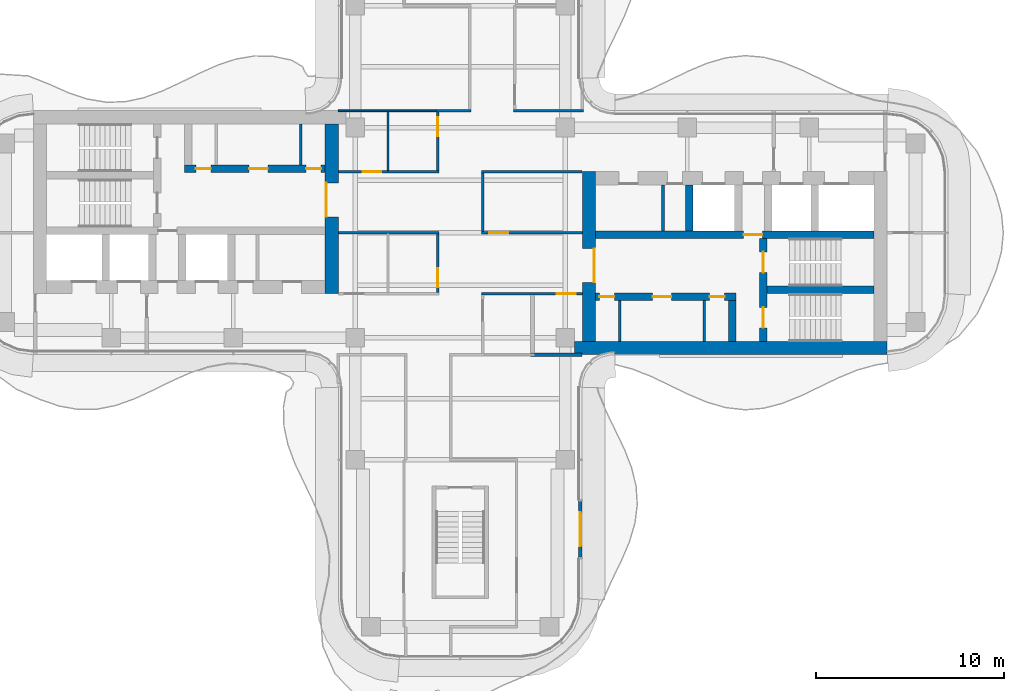
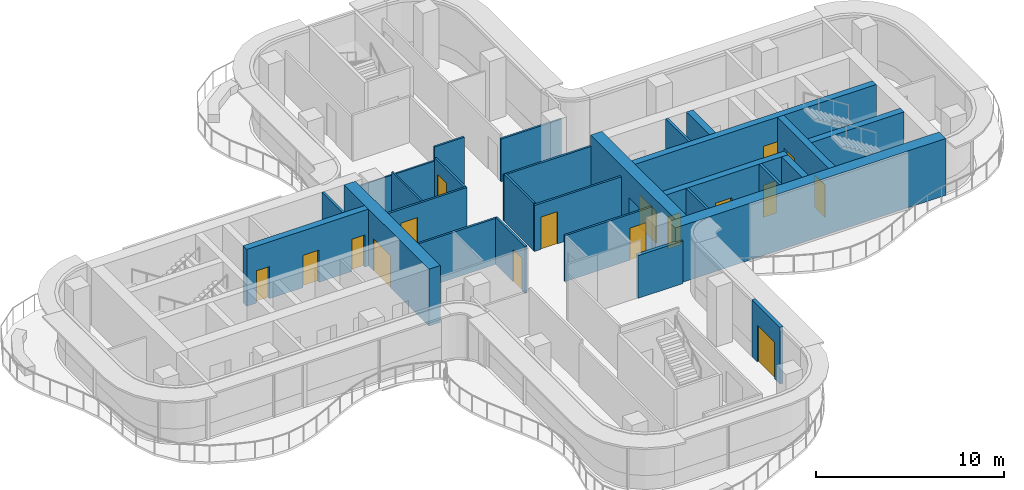
# One storey, part 12 of 16: 28 walls, 17 doors, 17 openings.
"""IFC4 building model written with IfcOpenShell, lengths in metres."""

from ifc_helpers import new_model, si_unit, direction, frame, frame_2d, origin, place, context, subcontext, project, spatial, rectangle, extrude, source, transform, mapped, material, layer, layer_set, type_object, element, fill, save


model = new_model("IFC4")

# Units and contexts
model_context = context("Model", 3, precision=1e-05, world=origin(), true_north=direction((0.0, 1.0)))
body_context = subcontext(model_context, "Body", "Model", "MODEL_VIEW")
ifc_project = project(units=[si_unit("LENGTHUNIT", "METRE"), si_unit("AREAUNIT", "SQUARE_METRE"), si_unit("VOLUMEUNIT", "CUBIC_METRE"), si_unit("PLANEANGLEUNIT", "RADIAN"), si_unit("MASSUNIT", "GRAM", prefix="KILO")], contexts=[model_context])

# Site, building, storey
site_placement = place(None, origin())
site = spatial("IfcSite", under=ifc_project, at=site_placement, CompositionType="ELEMENT")
building_placement = place(site_placement, origin())
building = spatial("IfcBuilding", under=site, at=building_placement, Name="Trellis Farm Tower", CompositionType="ELEMENT")
storey_placement = place(building_placement, frame((0.0, 0.0, 318.39990234375)))
storey = spatial("IfcBuildingStorey", under=building, at=storey_placement, Name="L72", CompositionType="ELEMENT", Elevation=318.39990234375)

# Wall, opening, door
ifc_material_1 = material(Name="Concrete C50/60", Category="concrete")
ifc_layer_1 = layer(ifc_material_1, 0.699951171875)
ifc_layer_set_1 = layer_set([ifc_layer_1], Name="CORE OUTER WALL 700 CONCRETE C50/60")
wall_type_1 = type_object("IfcWallType", Name="CORE OUTER WALL 700 CONCRETE C50/60", PredefinedType="SHEAR", material=ifc_layer_set_1)
shared_shape_1 = source(origin(), body_context, "Body", "SweptSolid", [
    extrude(rectangle(XDim=9.050048828125, YDim=0.699951171875, at=frame_2d((4.52490234375, 0.0))), origin(), (0.0, 0.0, 1.0), 3.7001953125),
])
wall_1_placement = place(storey_placement, frame((6.85009765625, -5.800048828125, 0.0), z_axis=(0.0, 0.0, 1.0), x_axis=(0.0, 1.0, 0.0)))
wall_1 = element("IfcWall", 1, at=wall_1_placement, inside=storey, type_object=wall_type_1, Name="Core wall", PredefinedType="SHEAR", context=body_context, shape_type="MappedRepresentation", body=[
    mapped(shared_shape_1, transform((0.0, 0.0, 0.0))),
])
shared_shape_2 = source(origin(), body_context, "Body", "SweptSolid", [
    extrude(rectangle(XDim=1.800048828125, YDim=2.10009765625, at=frame_2d((0.89990234375, 1.050048828125))), frame((0.0, 0.360107421875, 0.0), z_axis=(0.0, -1.0, 0.0), x_axis=(1.0, 0.0, 0.0)), (0.0, 0.0, 1.0), 0.72021484375),
])
opening_1_placement = place(wall_1_placement, frame((3.14990234375, 0.0, 0.0)))
opening_1 = element("IfcOpeningElement", 2, at=opening_1_placement, cuts=wall_1, Name="Opening DC1", PredefinedType="OPENING", context=body_context, shape_type="MappedRepresentation", body=[
    mapped(shared_shape_2, transform((0.0, 0.0, 0.0))),
])
ifc_material_2 = material(Name="Steel", Category="steel")
door_type_1 = type_object("IfcDoorType", Name="CORE FIRE DOOR DOUBLE 1800 X 2100", OperationType="DOUBLE_DOOR_SINGLE_SWING", PredefinedType="DOOR", material=ifc_material_2)
shared_shape_3 = source(origin(), body_context, "Body", "SweptSolid", [
    extrude(rectangle(XDim=1.800048828125, YDim=2.10009765625, at=frame_2d((0.89990234375, 1.050048828125))), frame((0.0, -0.27490234375, 0.0), z_axis=(0.0, -1.0, 0.0), x_axis=(1.0, 0.0, 0.0)), (0.0, 0.0, 1.0), 0.050048828125),
])
door_1_placement = place(opening_1_placement, origin())
door_1 = element("IfcDoor", 3, at=door_1_placement, inside=storey, type_object=door_type_1, Name="Core door", OperationType="DOUBLE_DOOR_SINGLE_SWING", OverallHeight=2.10009765625, OverallWidth=1.800048828125, PredefinedType="DOOR", context=body_context, shape_type="MappedRepresentation", body=[
    mapped(shared_shape_3, transform((0.0, 0.0, 0.0))),
])
fill(opening_1, door_1)

wall_2_placement = place(storey_placement, frame((-6.85009765625, 5.800048828125, 0.0), z_axis=(0.0, 0.0, 1.0), x_axis=(0.0, -1.0, 0.0)))
wall_2 = element("IfcWall", 4, at=wall_2_placement, inside=storey, type_object=wall_type_1, Name="Core wall", PredefinedType="SHEAR", context=body_context, shape_type="MappedRepresentation", body=[
    mapped(shared_shape_1, transform((0.0, 0.0, 0.0))),
])
opening_2_placement = place(wall_2_placement, frame((3.14990234375, 0.0, 0.0)))
opening_2 = element("IfcOpeningElement", 5, at=opening_2_placement, cuts=wall_2, Name="Opening DC87", PredefinedType="OPENING", context=body_context, shape_type="MappedRepresentation", body=[
    mapped(shared_shape_2, transform((0.0, 0.0, 0.0))),
])
door_2_placement = place(opening_2_placement, origin())
door_2 = element("IfcDoor", 6, at=door_2_placement, inside=storey, type_object=door_type_1, Name="Core door", OperationType="DOUBLE_DOOR_SINGLE_SWING", OverallHeight=2.10009765625, OverallWidth=1.800048828125, PredefinedType="DOOR", context=body_context, shape_type="MappedRepresentation", body=[
    mapped(shared_shape_3, transform((0.0, 0.0, 0.0))),
])
fill(opening_2, door_2)

# Wall
ifc_layer_2 = layer(ifc_material_1, 0.39990234375)
ifc_layer_set_2 = layer_set([ifc_layer_2], Name="CORE INNER WALL 400 CONCRETE C50/60")
wall_type_2 = type_object("IfcWallType", Name="CORE INNER WALL 400 CONCRETE C50/60", PredefinedType="SHEAR", material=ifc_layer_set_2)
shared_shape_4 = source(origin(), body_context, "Body", "SweptSolid", [
    extrude(rectangle(XDim=2.449951171875, YDim=0.39990234375, at=frame_2d((1.22509765625, 0.0))), origin(), (0.0, 0.0, 1.0), 3.7001953125),
])
wall_3_placement = place(storey_placement, frame((12.199951171875, 0.10009765625, 0.0), z_axis=(0.0, 0.0, 1.0), x_axis=(0.0, 1.0, 0.0)))
element("IfcWall", 7, at=wall_3_placement, inside=storey, type_object=wall_type_2, Name="Core wall", PredefinedType="SHEAR", context=body_context, shape_type="MappedRepresentation", body=[
    mapped(shared_shape_4, transform((0.0, 0.0, 0.0))),
])

# Wall, openings, doors
shared_shape_5 = source(origin(), body_context, "Body", "SweptSolid", [
    extrude(rectangle(XDim=7.5, YDim=0.39990234375, at=frame_2d((3.75, 0.0))), origin(), (0.0, 0.0, 1.0), 3.7001953125),
])
wall_4_placement = place(storey_placement, frame((7.199951171875, -3.39990234375, 0.0), z_axis=(0.0, 0.0, 1.0), x_axis=(1.0, 0.0, 0.0)))
wall_4 = element("IfcWall", 8, at=wall_4_placement, inside=storey, type_object=wall_type_2, Name="Core wall", PredefinedType="SHEAR", context=body_context, shape_type="MappedRepresentation", body=[
    mapped(shared_shape_5, transform((0.0, 0.0, 0.0))),
])
shared_shape_6 = source(origin(), body_context, "Body", "SweptSolid", [
    extrude(rectangle(XDim=0.800048828125, YDim=2.10009765625, at=frame_2d((0.39990234375, 1.050048828125))), frame((0.0, 0.2099609375, 0.0), z_axis=(0.0, -1.0, 0.0), x_axis=(1.0, 0.0, 0.0)), (0.0, 0.0, 1.0), 0.419921875),
])
opening_3_placement = place(wall_4_placement, frame((0.21240234375, 0.0, 0.0)))
opening_3 = element("IfcOpeningElement", 9, at=opening_3_placement, cuts=wall_4, Name="Opening DC51", PredefinedType="OPENING", context=body_context, shape_type="MappedRepresentation", body=[
    mapped(shared_shape_6, transform((0.0, 0.0, 0.0))),
])
shared_shape_7 = source(origin(), body_context, "Body", "SweptSolid", [
    extrude(rectangle(XDim=1.0, YDim=2.10009765625, at=frame_2d((0.5, 1.050048828125))), frame((0.0, 0.2099609375, 0.0), z_axis=(0.0, -1.0, 0.0), x_axis=(1.0, 0.0, 0.0)), (0.0, 0.0, 1.0), 0.419921875),
])
opening_4_placement = place(wall_4_placement, frame((3.050048828125, 0.0, 0.0)))
opening_4 = element("IfcOpeningElement", 10, at=opening_4_placement, cuts=wall_4, Name="Opening DC62", PredefinedType="OPENING", context=body_context, shape_type="MappedRepresentation", body=[
    mapped(shared_shape_7, transform((0.0, 0.0, 0.0))),
])
opening_5_placement = place(wall_4_placement, frame((6.08740234375, 0.0, 0.0)))
opening_5 = element("IfcOpeningElement", 11, at=opening_5_placement, cuts=wall_4, Name="Opening DC63", PredefinedType="OPENING", context=body_context, shape_type="MappedRepresentation", body=[
    mapped(shared_shape_6, transform((0.0, 0.0, 0.0))),
])
door_type_2 = type_object("IfcDoorType", Name="CORE FIRE DOOR 1000 X 2100", OperationType="NOTDEFINED", PredefinedType="DOOR", material=ifc_material_2)
shared_shape_8 = source(origin(), body_context, "Body", "SweptSolid", [
    extrude(rectangle(XDim=1.0, YDim=2.10009765625, at=frame_2d((0.5, 1.050048828125))), frame((0.0, 0.02490234375, 0.0), z_axis=(0.0, -1.0, 0.0), x_axis=(1.0, 0.0, 0.0)), (0.0, 0.0, 1.0), 0.050048828125),
])
door_3_placement = place(opening_4_placement, origin())
door_3 = element("IfcDoor", 12, at=door_3_placement, inside=storey, type_object=door_type_2, Name="Core door", OperationType="SINGLE_SWING_RIGHT", OverallHeight=2.10009765625, OverallWidth=1.0, PredefinedType="DOOR", context=body_context, shape_type="MappedRepresentation", body=[
    mapped(shared_shape_8, transform((0.0, 0.0, 0.0))),
])
fill(opening_4, door_3)
door_type_3 = type_object("IfcDoorType", Name="CORE FIRE DOOR 800 X 2100", OperationType="NOTDEFINED", PredefinedType="DOOR", material=ifc_material_2)
shared_shape_9 = source(origin(), body_context, "Body", "SweptSolid", [
    extrude(rectangle(XDim=0.800048828125, YDim=2.10009765625, at=frame_2d((0.39990234375, 1.050048828125))), frame((0.0, 0.02490234375, 0.0), z_axis=(0.0, -1.0, 0.0), x_axis=(1.0, 0.0, 0.0)), (0.0, 0.0, 1.0), 0.050048828125),
])
door_4_placement = place(opening_3_placement, origin())
door_4 = element("IfcDoor", 13, at=door_4_placement, inside=storey, type_object=door_type_3, Name="Core door", OperationType="SINGLE_SWING_LEFT", OverallHeight=2.10009765625, OverallWidth=0.800048828125, PredefinedType="DOOR", context=body_context, shape_type="MappedRepresentation", body=[
    mapped(shared_shape_9, transform((0.0, 0.0, 0.0))),
])
fill(opening_3, door_4)
door_5_placement = place(opening_5_placement, origin())
door_5 = element("IfcDoor", 14, at=door_5_placement, inside=storey, type_object=door_type_3, Name="Core door", OperationType="SINGLE_SWING_LEFT", OverallHeight=2.10009765625, OverallWidth=0.800048828125, PredefinedType="DOOR", context=body_context, shape_type="MappedRepresentation", body=[
    mapped(shared_shape_9, transform((0.0, 0.0, 0.0))),
])
fill(opening_5, door_5)

wall_5_placement = place(storey_placement, frame((-7.199951171875, 3.39990234375, 0.0), z_axis=(0.0, 0.0, 1.0), x_axis=(-1.0, 0.0, 0.0)))
wall_5 = element("IfcWall", 15, at=wall_5_placement, inside=storey, type_object=wall_type_2, Name="Core wall", PredefinedType="SHEAR", context=body_context, shape_type="MappedRepresentation", body=[
    mapped(shared_shape_5, transform((0.0, 0.0, 0.0))),
])
opening_6_placement = place(wall_5_placement, frame((0.21240234375, 0.0, 0.0)))
opening_6 = element("IfcOpeningElement", 16, at=opening_6_placement, cuts=wall_5, Name="Opening DC137", PredefinedType="OPENING", context=body_context, shape_type="MappedRepresentation", body=[
    mapped(shared_shape_6, transform((0.0, 0.0, 0.0))),
])
opening_7_placement = place(wall_5_placement, frame((3.050048828125, 0.0, 0.0)))
opening_7 = element("IfcOpeningElement", 17, at=opening_7_placement, cuts=wall_5, Name="Opening DC148", PredefinedType="OPENING", context=body_context, shape_type="MappedRepresentation", body=[
    mapped(shared_shape_7, transform((0.0, 0.0, 0.0))),
])
opening_8_placement = place(wall_5_placement, frame((6.08740234375, 0.0, 0.0)))
opening_8 = element("IfcOpeningElement", 18, at=opening_8_placement, cuts=wall_5, Name="Opening DC149", PredefinedType="OPENING", context=body_context, shape_type="MappedRepresentation", body=[
    mapped(shared_shape_6, transform((0.0, 0.0, 0.0))),
])
door_6_placement = place(opening_7_placement, origin())
door_6 = element("IfcDoor", 19, at=door_6_placement, inside=storey, type_object=door_type_2, Name="Core door", OperationType="SINGLE_SWING_RIGHT", OverallHeight=2.10009765625, OverallWidth=1.0, PredefinedType="DOOR", context=body_context, shape_type="MappedRepresentation", body=[
    mapped(shared_shape_8, transform((0.0, 0.0, 0.0))),
])
fill(opening_7, door_6)
door_7_placement = place(opening_6_placement, origin())
door_7 = element("IfcDoor", 20, at=door_7_placement, inside=storey, type_object=door_type_3, Name="Core door", OperationType="SINGLE_SWING_LEFT", OverallHeight=2.10009765625, OverallWidth=0.800048828125, PredefinedType="DOOR", context=body_context, shape_type="MappedRepresentation", body=[
    mapped(shared_shape_9, transform((0.0, 0.0, 0.0))),
])
fill(opening_6, door_7)
door_8_placement = place(opening_8_placement, origin())
door_8 = element("IfcDoor", 21, at=door_8_placement, inside=storey, type_object=door_type_3, Name="Core door", OperationType="SINGLE_SWING_LEFT", OverallHeight=2.10009765625, OverallWidth=0.800048828125, PredefinedType="DOOR", context=body_context, shape_type="MappedRepresentation", body=[
    mapped(shared_shape_9, transform((0.0, 0.0, 0.0))),
])
fill(opening_8, door_8)

# Wall, opening, door
shared_shape_10 = source(origin(), body_context, "Body", "SweptSolid", [
    extrude(rectangle(XDim=14.85009765625, YDim=0.39990234375, at=frame_2d((7.425048828125, 0.0))), origin(), (0.0, 0.0, 1.0), 3.7001953125),
])
wall_6_placement = place(storey_placement, frame((7.199951171875, -0.10009765625, 0.0), z_axis=(0.0, 0.0, 1.0), x_axis=(1.0, 0.0, 0.0)))
wall_6 = element("IfcWall", 22, at=wall_6_placement, inside=storey, type_object=wall_type_2, Name="Core wall", PredefinedType="SHEAR", context=body_context, shape_type="MappedRepresentation", body=[
    mapped(shared_shape_10, transform((0.0, 0.0, 0.0))),
])
opening_9_placement = place(wall_6_placement, frame((7.89990234375, 0.0, 0.0)))
opening_9 = element("IfcOpeningElement", 23, at=opening_9_placement, cuts=wall_6, Name="Opening DC5", PredefinedType="OPENING", context=body_context, shape_type="MappedRepresentation", body=[
    mapped(shared_shape_7, transform((0.0, 0.0, 0.0))),
])
door_9_placement = place(opening_9_placement, origin())
door_9 = element("IfcDoor", 24, at=door_9_placement, inside=storey, type_object=door_type_2, Name="Core door", OperationType="SINGLE_SWING_RIGHT", OverallHeight=2.10009765625, OverallWidth=1.0, PredefinedType="DOOR", context=body_context, shape_type="MappedRepresentation", body=[
    mapped(shared_shape_8, transform((0.0, 0.0, 0.0))),
])
fill(opening_9, door_9)

# Wall, openings, doors
shared_shape_11 = source(origin(), body_context, "Body", "SweptSolid", [
    extrude(rectangle(XDim=5.5, YDim=0.39990234375, at=frame_2d((2.75, 0.0))), origin(), (0.0, 0.0, 1.0), 3.7001953125),
])
wall_7_placement = place(storey_placement, frame((16.14990234375, -5.800048828125, 0.0), z_axis=(0.0, 0.0, 1.0), x_axis=(0.0, 1.0, 0.0)))
wall_7 = element("IfcWall", 25, at=wall_7_placement, inside=storey, type_object=wall_type_2, Name="Core wall", PredefinedType="SHEAR", context=body_context, shape_type="MappedRepresentation", body=[
    mapped(shared_shape_11, transform((0.0, 0.0, 0.0))),
])
shared_shape_12 = source(origin(), body_context, "Body", "SweptSolid", [
    extrude(rectangle(XDim=1.10009765625, YDim=2.10009765625, at=frame_2d((0.550048828125, 1.050048828125))), frame((0.0, 0.2099609375, 0.0), z_axis=(0.0, -1.0, 0.0), x_axis=(1.0, 0.0, 0.0)), (0.0, 0.0, 1.0), 0.419921875),
])
opening_10_placement = place(wall_7_placement, frame((0.72509765625, 0.0, 0.0)))
opening_10 = element("IfcOpeningElement", 26, at=opening_10_placement, cuts=wall_7, Name="Opening DC2", PredefinedType="OPENING", context=body_context, shape_type="MappedRepresentation", body=[
    mapped(shared_shape_12, transform((0.0, 0.0, 0.0))),
])
opening_11_placement = place(wall_7_placement, frame((3.675048828125, 0.0, 0.0)))
opening_11 = element("IfcOpeningElement", 27, at=opening_11_placement, cuts=wall_7, Name="Opening DC3", PredefinedType="OPENING", context=body_context, shape_type="MappedRepresentation", body=[
    mapped(shared_shape_12, transform((0.0, 0.0, 0.0))),
])
door_type_4 = type_object("IfcDoorType", Name="CORE FIRE DOOR 1100 X 2100", OperationType="NOTDEFINED", PredefinedType="DOOR", material=ifc_material_2)
shared_shape_13 = source(origin(), body_context, "Body", "SweptSolid", [
    extrude(rectangle(XDim=1.10009765625, YDim=2.10009765625, at=frame_2d((0.550048828125, 1.050048828125))), frame((0.0, 0.02490234375, 0.0), z_axis=(0.0, -1.0, 0.0), x_axis=(1.0, 0.0, 0.0)), (0.0, 0.0, 1.0), 0.050048828125),
])
door_10_placement = place(opening_10_placement, origin())
door_10 = element("IfcDoor", 28, at=door_10_placement, inside=storey, type_object=door_type_4, Name="Core door", OperationType="SINGLE_SWING_RIGHT", OverallHeight=2.10009765625, OverallWidth=1.10009765625, PredefinedType="DOOR", context=body_context, shape_type="MappedRepresentation", body=[
    mapped(shared_shape_13, transform((0.0, 0.0, 0.0))),
])
fill(opening_10, door_10)
door_11_placement = place(opening_11_placement, origin())
door_11 = element("IfcDoor", 29, at=door_11_placement, inside=storey, type_object=door_type_4, Name="Core door", OperationType="SINGLE_SWING_LEFT", OverallHeight=2.10009765625, OverallWidth=1.10009765625, PredefinedType="DOOR", context=body_context, shape_type="MappedRepresentation", body=[
    mapped(shared_shape_13, transform((0.0, 0.0, 0.0))),
])
fill(opening_11, door_11)

# Walls
shared_shape_14 = source(origin(), body_context, "Body", "SweptSolid", [
    extrude(rectangle(XDim=5.699951171875, YDim=0.39990234375, at=frame_2d((2.85009765625, 0.0))), origin(), (0.0, 0.0, 1.0), 3.7001953125),
])
wall_8_placement = place(storey_placement, frame((16.35009765625, -3.050048828125, 0.0), z_axis=(0.0, 0.0, 1.0), x_axis=(1.0, 0.0, 0.0)))
element("IfcWall", 30, at=wall_8_placement, inside=storey, type_object=wall_type_2, Name="Core wall", PredefinedType="SHEAR", context=body_context, shape_type="MappedRepresentation", body=[
    mapped(shared_shape_14, transform((0.0, 0.0, 0.0))),
])
shared_shape_15 = source(origin(), body_context, "Body", "SweptSolid", [
    extrude(rectangle(XDim=2.199951171875, YDim=0.39990234375, at=frame_2d((1.10009765625, 0.0))), origin(), (0.0, 0.0, 1.0), 3.7001953125),
])
wall_9_placement = place(storey_placement, frame((14.5, -5.800048828125, 0.0), z_axis=(0.0, 0.0, 1.0), x_axis=(0.0, 1.0, 0.0)))
element("IfcWall", 31, at=wall_9_placement, inside=storey, type_object=wall_type_2, Name="Core wall", PredefinedType="SHEAR", context=body_context, shape_type="MappedRepresentation", body=[
    mapped(shared_shape_15, transform((0.0, 0.0, 0.0))),
])
ifc_material_3 = material(Name="Masonry blockwork", Category="masonry")
ifc_layer_3 = layer(ifc_material_3, 0.14990234375)
ifc_layer_set_3 = layer_set([ifc_layer_3], Name="CORE PARTITION 150 BLOCKWORK")
wall_type_3 = type_object("IfcWallType", Name="CORE PARTITION 150 BLOCKWORK", PredefinedType="PARTITIONING", material=ifc_layer_set_3)
shared_shape_16 = source(origin(), body_context, "Body", "SweptSolid", [
    extrude(rectangle(XDim=2.199951171875, YDim=0.14990234375, at=frame_2d((1.10009765625, 0.0))), origin(), (0.0, 0.0, 1.0), 3.7001953125),
])
for number, where, z_axis, x_axis, name in (
    (32, (8.5, -5.800048828125, 0.0), (0.0, 0.0, 1.0), (0.0, 1.0, 0.0), "Core room partition"),
    (33, (13.0, -5.800048828125, 0.0), (0.0, 0.0, 1.0), (0.0, 1.0, 0.0), "Core room partition"),
    (34, (-8.5, 5.800048828125, 0.0), (0.0, 0.0, 1.0), (0.0, -1.0, 0.0), "Core room partition"),
):
    element("IfcWall", number, at=place(storey_placement, frame(where, z_axis=z_axis, x_axis=x_axis)), inside=storey, type_object=wall_type_3, Name=name, PredefinedType="PARTITIONING", context=body_context, shape_type="MappedRepresentation", body=[
        mapped(shared_shape_16, transform((0.0, 0.0, 0.0))),
    ])
shared_shape_17 = source(origin(), body_context, "Body", "SweptSolid", [
    extrude(rectangle(XDim=16.64990234375, YDim=0.699951171875, at=frame_2d((8.324951171875, 0.0))), origin(), (0.0, 0.0, 1.0), 3.7001953125),
])
wall_10_placement = place(storey_placement, frame((6.10009765625, -6.14990234375, 0.0), z_axis=(0.0, 0.0, 1.0), x_axis=(1.0, 0.0, 0.0)))
element("IfcWall", 35, at=wall_10_placement, inside=storey, type_object=wall_type_1, Name="Core wall", PredefinedType="SHEAR", context=body_context, shape_type="MappedRepresentation", body=[
    mapped(shared_shape_17, transform((0.0, 0.0, 0.0))),
])
shared_shape_18 = source(origin(), body_context, "Body", "SweptSolid", [
    extrude(rectangle(XDim=2.449951171875, YDim=0.14990234375, at=frame_2d((1.22509765625, 0.0))), origin(), (0.0, 0.0, 1.0), 3.7001953125),
])
wall_11_placement = place(storey_placement, frame((10.800048828125, 0.10009765625, 0.0), z_axis=(0.0, 0.0, 1.0), x_axis=(0.0, 1.0, 0.0)))
element("IfcWall", 36, at=wall_11_placement, inside=storey, type_object=wall_type_3, Name="Core room partition", PredefinedType="PARTITIONING", context=body_context, shape_type="MappedRepresentation", body=[
    mapped(shared_shape_18, transform((0.0, 0.0, 0.0))),
])

# Wall, opening, door
ifc_material_4 = material(Name="Sandstone faced insulated wall", Category="masonry")
ifc_layer_4 = layer(ifc_material_4, 0.199951171875)
ifc_layer_set_4 = layer_set([ifc_layer_4], Name="EXTERNAL INFILL WALL 200")
wall_type_4 = type_object("IfcWallType", Name="EXTERNAL INFILL WALL 200", PredefinedType="SOLIDWALL", material=ifc_layer_set_4)
shared_shape_19 = source(origin(), body_context, "Body", "SweptSolid", [
    extrude(rectangle(XDim=3.0, YDim=0.199951171875, at=frame_2d((1.5, 0.0))), origin(), (0.0, 0.0, 1.0), 3.7001953125),
])
wall_12_placement = place(storey_placement, frame((6.39990234375, -17.300048828125, 0.0), z_axis=(0.0, 0.0, 1.0), x_axis=(0.0, 1.0, 0.0)))
wall_12 = element("IfcWall", 37, at=wall_12_placement, inside=storey, type_object=wall_type_4, Name="EW1 01", PredefinedType="SOLIDWALL", context=body_context, shape_type="MappedRepresentation", body=[
    mapped(shared_shape_19, transform((0.0, 0.0, 0.0))),
])
shared_shape_20 = source(origin(), body_context, "Body", "SweptSolid", [
    extrude(rectangle(XDim=1.800048828125, YDim=2.39990234375, at=frame_2d((0.89990234375, 1.199951171875))), frame((0.0, 0.110107421875, 0.0), z_axis=(0.0, -1.0, 0.0), x_axis=(1.0, 0.0, 0.0)), (0.0, 0.0, 1.0), 0.22021484375),
])
opening_12_placement = place(wall_12_placement, frame((0.60009765625, 0.0, 0.0)))
opening_12 = element("IfcOpeningElement", 38, at=opening_12_placement, cuts=wall_12, Name="Opening ED1", PredefinedType="OPENING", context=body_context, shape_type="MappedRepresentation", body=[
    mapped(shared_shape_20, transform((0.0, 0.0, 0.0))),
])
ifc_material_5 = material(Name="Aluminium framed glazed door", Category="aluminium")
door_type_5 = type_object("IfcDoorType", Name="BALCONY DOOR 1800x2400", OperationType="DOUBLE_DOOR_SINGLE_SWING", PredefinedType="DOOR", material=ifc_material_5)
shared_shape_21 = source(origin(), body_context, "Body", "SweptSolid", [
    extrude(rectangle(XDim=1.800048828125, YDim=2.39990234375, at=frame_2d((0.89990234375, 1.199951171875))), frame((0.0, 0.02490234375, 0.0), z_axis=(0.0, -1.0, 0.0), x_axis=(1.0, 0.0, 0.0)), (0.0, 0.0, 1.0), 0.050048828125),
])
door_12_placement = place(opening_12_placement, origin())
door_12 = element("IfcDoor", 39, at=door_12_placement, inside=storey, type_object=door_type_5, Name="Balcony door", OperationType="DOUBLE_DOOR_SINGLE_SWING", OverallHeight=2.39990234375, OverallWidth=1.800048828125, PredefinedType="DOOR", context=body_context, shape_type="MappedRepresentation", body=[
    mapped(shared_shape_21, transform((0.0, 0.0, 0.0))),
])
fill(opening_12, door_12)

ifc_material_6 = material(Name="Plasterboard on steel studs, mineral wool", Category="steel")
ifc_layer_5 = layer(ifc_material_6, 0.125)
ifc_layer_set_5 = layer_set([ifc_layer_5], Name="PARTITION 125 STUD EI 60")
wall_type_5 = type_object("IfcWallType", Name="PARTITION 125 STUD EI 60", PredefinedType="PARTITIONING", material=ifc_layer_set_5)
shared_shape_22 = source(origin(), body_context, "Body", "SweptSolid", [
    extrude(rectangle(XDim=3.137451171875, YDim=0.125, at=frame_2d((1.56884765625, 0.0))), origin(), (0.0, 0.0, 1.0), 2.99658203125),
])
wall_13_placement = place(storey_placement, frame((-1.199951171875, 6.449951171875, 0.0), z_axis=(0.0, 0.0, 1.0), x_axis=(0.0, -1.0, 0.0)))
wall_13 = element("IfcWall", 40, at=wall_13_placement, inside=storey, type_object=wall_type_5, Name="Partition PW1", PredefinedType="PARTITIONING", context=body_context, shape_type="MappedRepresentation", body=[
    mapped(shared_shape_22, transform((0.0, 0.0, 0.0))),
])
shared_shape_23 = source(origin(), body_context, "Body", "SweptSolid", [
    extrude(rectangle(XDim=1.0, YDim=2.10009765625, at=frame_2d((0.5, 1.050048828125))), frame((0.0, 0.072509765625, 0.0), z_axis=(0.0, -1.0, 0.0), x_axis=(1.0, 0.0, 0.0)), (0.0, 0.0, 1.0), 0.14501953125),
])
opening_13_placement = place(wall_13_placement, frame((0.300048828125, 0.0, 0.0)))
opening_13 = element("IfcOpeningElement", 41, at=opening_13_placement, cuts=wall_13, Name="Opening D108", PredefinedType="OPENING", context=body_context, shape_type="MappedRepresentation", body=[
    mapped(shared_shape_23, transform((0.0, 0.0, 0.0))),
])
ifc_material_7 = material(Name="Fire-rated timber door leaf in a hollow metal frame", Category="wood")
door_type_6 = type_object("IfcDoorType", Name="DOOR 1000x2100 FD30S", OperationType="NOTDEFINED", PredefinedType="DOOR", material=ifc_material_7)
door_13_placement = place(opening_13_placement, origin())
door_13 = element("IfcDoor", 42, at=door_13_placement, inside=storey, type_object=door_type_6, Name="Door D108", OperationType="SINGLE_SWING_LEFT", OverallHeight=2.10009765625, OverallWidth=1.0, PredefinedType="DOOR", context=body_context, shape_type="MappedRepresentation", body=[
    mapped(shared_shape_8, transform((0.0, 0.0, 0.0))),
])
fill(opening_13, door_13)

shared_shape_24 = source(origin(), body_context, "Body", "SweptSolid", [
    extrude(rectangle(XDim=3.125, YDim=0.125, at=frame_2d((1.5625, 0.0))), origin(), (0.0, 0.0, 1.0), 3.06787109375),
])
wall_14_placement = place(storey_placement, frame((-1.199951171875, -0.0625, 0.0), z_axis=(0.0, 0.0, 1.0), x_axis=(0.0, -1.0, 0.0)))
wall_14 = element("IfcWall", 43, at=wall_14_placement, inside=storey, type_object=wall_type_5, Name="Partition PW1", PredefinedType="PARTITIONING", context=body_context, shape_type="MappedRepresentation", body=[
    mapped(shared_shape_24, transform((0.0, 0.0, 0.0))),
])
opening_14_placement = place(wall_14_placement, frame((1.83740234375, 0.0, 0.0)))
opening_14 = element("IfcOpeningElement", 44, at=opening_14_placement, cuts=wall_14, Name="Opening D103", PredefinedType="OPENING", context=body_context, shape_type="MappedRepresentation", body=[
    mapped(shared_shape_23, transform((0.0, 0.0, 0.0))),
])
door_14_placement = place(opening_14_placement, origin())
door_14 = element("IfcDoor", 45, at=door_14_placement, inside=storey, type_object=door_type_6, Name="Door D103", OperationType="SINGLE_SWING_RIGHT", OverallHeight=2.10009765625, OverallWidth=1.0, PredefinedType="DOOR", context=body_context, shape_type="MappedRepresentation", body=[
    mapped(shared_shape_8, transform((0.0, 0.0, 0.0))),
])
fill(opening_14, door_14)

# Wall
wall_15_placement = place(storey_placement, frame((1.199951171875, 3.1875, 0.0), z_axis=(0.0, 0.0, 1.0), x_axis=(0.0, -1.0, 0.0)))
element("IfcWall", 46, at=wall_15_placement, inside=storey, type_object=wall_type_5, Name="Partition PW1", PredefinedType="PARTITIONING", context=body_context, shape_type="MappedRepresentation", body=[
    mapped(shared_shape_24, transform((0.0, 0.0, 0.0))),
])

# Wall, opening, door
shared_shape_25 = source(origin(), body_context, "Body", "SweptSolid", [
    extrude(rectangle(XDim=5.362548828125, YDim=0.125, at=frame_2d((2.68115234375, 0.0))), origin(), (0.0, 0.0, 1.0), 2.99658203125),
])
wall_16_placement = place(storey_placement, frame((6.5, -3.25, 0.0), z_axis=(0.0, 0.0, 1.0), x_axis=(-1.0, 0.0, 0.0)))
wall_16 = element("IfcWall", 47, at=wall_16_placement, inside=storey, type_object=wall_type_5, Name="Partition PW1", PredefinedType="PARTITIONING", context=body_context, shape_type="MappedRepresentation", body=[
    mapped(shared_shape_25, transform((0.0, 0.0, 0.0))),
])
opening_15_placement = place(wall_16_placement, frame((0.35009765625, 0.0, 0.0)))
opening_15 = element("IfcOpeningElement", 48, at=opening_15_placement, cuts=wall_16, Name="Opening D301", PredefinedType="OPENING", context=body_context, shape_type="MappedRepresentation", body=[
    mapped(shared_shape_23, transform((0.0, 0.0, 0.0))),
])
door_type_7 = type_object("IfcDoorType", Name="DOOR 1000x2100 FD60", OperationType="NOTDEFINED", PredefinedType="DOOR", material=ifc_material_7)
door_15_placement = place(opening_15_placement, origin())
door_15 = element("IfcDoor", 49, at=door_15_placement, inside=storey, type_object=door_type_7, Name="Door D301", OperationType="SINGLE_SWING_LEFT", OverallHeight=2.10009765625, OverallWidth=1.0, PredefinedType="DOOR", context=body_context, shape_type="MappedRepresentation", body=[
    mapped(shared_shape_8, transform((0.0, 0.0, 0.0))),
])
fill(opening_15, door_15)

# Wall
wall_17_placement = place(storey_placement, frame((-1.137451171875, 0.0, 0.0), z_axis=(0.0, 0.0, 1.0), x_axis=(-1.0, 0.0, 0.0)))
element("IfcWall", 50, at=wall_17_placement, inside=storey, type_object=wall_type_5, Name="Partition PW1", PredefinedType="PARTITIONING", context=body_context, shape_type="MappedRepresentation", body=[
    mapped(shared_shape_25, transform((0.0, 0.0, 0.0))),
])

# Wall, opening, door
wall_18_placement = place(storey_placement, frame((6.5, 0.0, 0.0), z_axis=(0.0, 0.0, 1.0), x_axis=(-1.0, 0.0, 0.0)))
wall_18 = element("IfcWall", 51, at=wall_18_placement, inside=storey, type_object=wall_type_5, Name="Partition PW1", PredefinedType="PARTITIONING", context=body_context, shape_type="MappedRepresentation", body=[
    mapped(shared_shape_25, transform((0.0, 0.0, 0.0))),
])
opening_16_placement = place(wall_18_placement, frame((3.949951171875, 0.0, 0.0)))
opening_16 = element("IfcOpeningElement", 52, at=opening_16_placement, cuts=wall_18, Name="Opening D105", PredefinedType="OPENING", context=body_context, shape_type="MappedRepresentation", body=[
    mapped(shared_shape_23, transform((0.0, 0.0, 0.0))),
])
door_16_placement = place(opening_16_placement, origin())
door_16 = element("IfcDoor", 53, at=door_16_placement, inside=storey, type_object=door_type_6, Name="Door D105", OperationType="SINGLE_SWING_RIGHT", OverallHeight=2.10009765625, OverallWidth=1.0, PredefinedType="DOOR", context=body_context, shape_type="MappedRepresentation", body=[
    mapped(shared_shape_8, transform((0.0, 0.0, 0.0))),
])
fill(opening_16, door_16)

wall_19_placement = place(storey_placement, frame((-6.5, 3.25, 0.0), z_axis=(0.0, 0.0, 1.0), x_axis=(1.0, 0.0, 0.0)))
wall_19 = element("IfcWall", 54, at=wall_19_placement, inside=storey, type_object=wall_type_5, Name="Partition PW1", PredefinedType="PARTITIONING", context=body_context, shape_type="MappedRepresentation", body=[
    mapped(shared_shape_25, transform((0.0, 0.0, 0.0))),
])
opening_17_placement = place(wall_19_placement, frame((1.300048828125, 0.0, 0.0)))
opening_17 = element("IfcOpeningElement", 55, at=opening_17_placement, cuts=wall_19, Name="Opening D107", PredefinedType="OPENING", context=body_context, shape_type="MappedRepresentation", body=[
    mapped(shared_shape_23, transform((0.0, 0.0, 0.0))),
])
door_17_placement = place(opening_17_placement, origin())
door_17 = element("IfcDoor", 56, at=door_17_placement, inside=storey, type_object=door_type_6, Name="Door D107", OperationType="SINGLE_SWING_RIGHT", OverallHeight=2.10009765625, OverallWidth=1.0, PredefinedType="DOOR", context=body_context, shape_type="MappedRepresentation", body=[
    mapped(shared_shape_8, transform((0.0, 0.0, 0.0))),
])
fill(opening_17, door_17)

# Walls
wall_20_placement = place(storey_placement, frame((1.137451171875, 3.25, 0.0), z_axis=(0.0, 0.0, 1.0), x_axis=(1.0, 0.0, 0.0)))
element("IfcWall", 57, at=wall_20_placement, inside=storey, type_object=wall_type_5, Name="Partition PW1", PredefinedType="PARTITIONING", context=body_context, shape_type="MappedRepresentation", body=[
    mapped(shared_shape_25, transform((0.0, 0.0, 0.0))),
])
ifc_material_8 = material(Name="Plasterboard on steel studs", Category="steel")
ifc_layer_6 = layer(ifc_material_8, 0.10009765625)
ifc_layer_set_6 = layer_set([ifc_layer_6], Name="PARTITION 100 STUD EI 30")
wall_type_6 = type_object("IfcWallType", Name="PARTITION 100 STUD EI 30", PredefinedType="PARTITIONING", material=ifc_layer_set_6)
shared_shape_26 = source(origin(), body_context, "Body", "SweptSolid", [
    extrude(rectangle(XDim=5.362548828125, YDim=0.10009765625, at=frame_2d((2.68115234375, 0.0))), origin(), (0.0, 0.0, 1.0), 2.780029296875),
])
wall_21_placement = place(storey_placement, frame((-6.5, 6.5, 0.0), z_axis=(0.0, 0.0, 1.0), x_axis=(1.0, 0.0, 0.0)))
element("IfcWall", 58, at=wall_21_placement, inside=storey, type_object=wall_type_6, Name="Partition PW2", PredefinedType="PARTITIONING", context=body_context, shape_type="MappedRepresentation", body=[
    mapped(shared_shape_26, transform((0.0, 0.0, 0.0))),
])
shared_shape_27 = source(origin(), body_context, "Body", "SweptSolid", [
    extrude(rectangle(XDim=3.72509765625, YDim=0.125, at=frame_2d((1.862548828125, 0.0))), origin(), (0.0, 0.0, 1.0), 2.780029296875),
])
wall_22_placement = place(storey_placement, frame((2.83740234375, 6.5, 0.0), z_axis=(0.0, 0.0, 1.0), x_axis=(1.0, 0.0, 0.0)))
element("IfcWall", 59, at=wall_22_placement, inside=storey, type_object=wall_type_5, Name="Partition PW1", PredefinedType="PARTITIONING", context=body_context, shape_type="MappedRepresentation", body=[
    mapped(shared_shape_27, transform((0.0, 0.0, 0.0))),
])
shared_shape_28 = source(origin(), body_context, "Body", "SweptSolid", [
    extrude(rectangle(XDim=1.824951171875, YDim=0.125, at=frame_2d((0.91259765625, 0.0))), origin(), (0.0, 0.0, 1.0), 3.7001953125),
])
wall_23_placement = place(storey_placement, frame((-1.262451171875, 6.5, 0.0), z_axis=(0.0, 0.0, 1.0), x_axis=(1.0, 0.0, 0.0)))
element("IfcWall", 60, at=wall_23_placement, inside=storey, type_object=wall_type_5, Name="Partition PW1", PredefinedType="PARTITIONING", context=body_context, shape_type="MappedRepresentation", body=[
    mapped(shared_shape_28, transform((0.0, 0.0, 0.0))),
])
shared_shape_29 = source(origin(), body_context, "Body", "SweptSolid", [
    extrude(rectangle(XDim=3.137451171875, YDim=0.10009765625, at=frame_2d((1.56884765625, 0.0))), origin(), (0.0, 0.0, 1.0), 2.99658203125),
])
wall_24_placement = place(storey_placement, frame((-3.85009765625, 3.3125, 0.0), z_axis=(0.0, 0.0, 1.0), x_axis=(0.0, 1.0, 0.0)))
element("IfcWall", 61, at=wall_24_placement, inside=storey, type_object=wall_type_6, Name="Partition PW2", PredefinedType="PARTITIONING", context=body_context, shape_type="MappedRepresentation", body=[
    mapped(shared_shape_29, transform((0.0, 0.0, 0.0))),
])
ifc_material_9 = material(Name="Lightweight blockwork, plastered", Category="masonry")
ifc_layer_7 = layer(ifc_material_9, 0.199951171875)
ifc_layer_set_7 = layer_set([ifc_layer_7], Name="BLOCK WALL 200 EI 120")
wall_type_7 = type_object("IfcWallType", Name="BLOCK WALL 200 EI 120", PredefinedType="PARTITIONING", material=ifc_layer_set_7)
shared_shape_30 = source(origin(), body_context, "Body", "SweptSolid", [
    extrude(rectangle(XDim=2.75, YDim=0.199951171875, at=frame_2d((1.375, 0.0))), origin(), (0.0, 0.0, 1.0), 2.780029296875),
])
wall_25_placement = place(storey_placement, frame((3.75, -6.5, 0.0), z_axis=(0.0, 0.0, 1.0), x_axis=(1.0, 0.0, 0.0)))
element("IfcWall", 62, at=wall_25_placement, inside=storey, type_object=wall_type_7, Name="Partition PW3", PredefinedType="PARTITIONING", context=body_context, shape_type="MappedRepresentation", body=[
    mapped(shared_shape_30, transform((0.0, 0.0, 0.0))),
])

save(model, "model.ifc")
